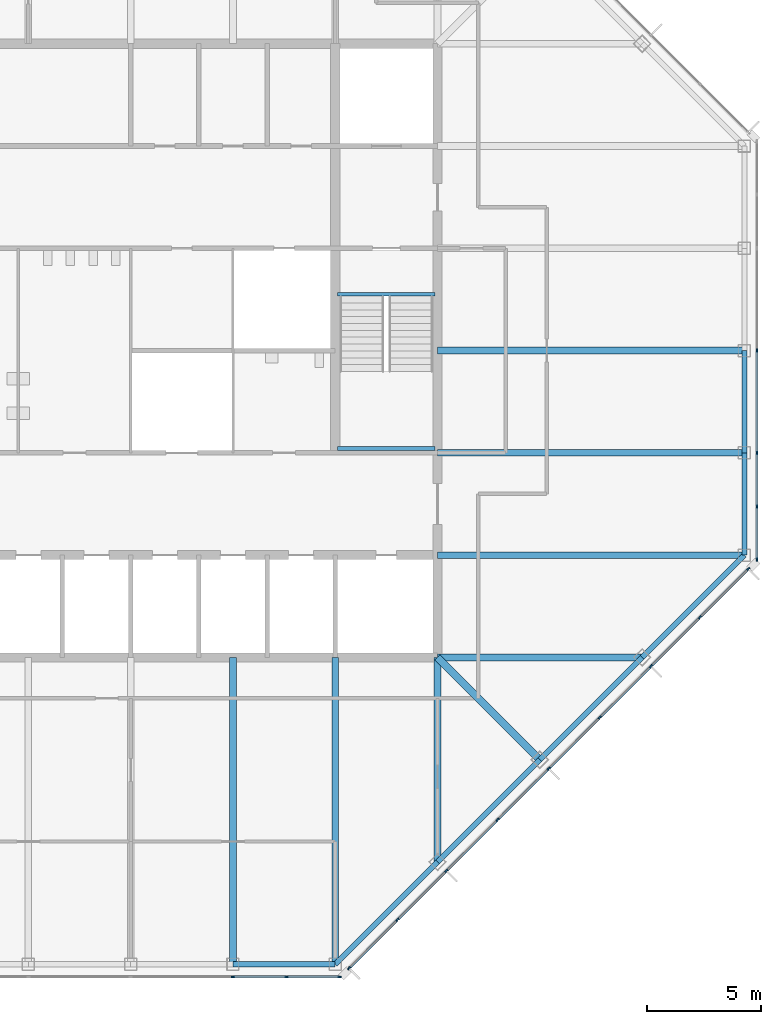
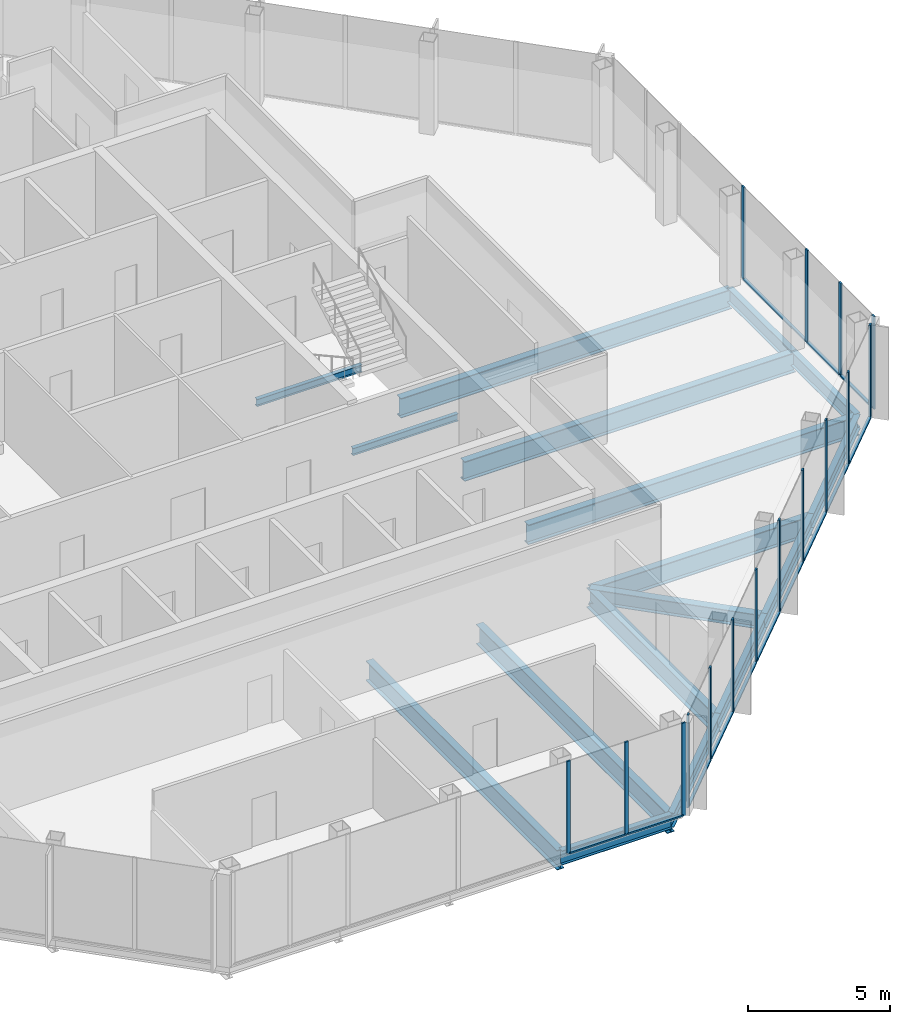
# One storey, part 4 of 13: 29 members, 17 beams, 3 elements without a shape of their own.
"""IFC4 building model written with IfcOpenShell, lengths in metres."""

from ifc_helpers import new_model, si_unit, direction, frame, origin, origin_2d, place, context, subcontext, project, spatial, rectangle, i_section, extrude, material, material_profile, profile_set, type_object, element, aggregate, save


model = new_model("IFC4")

# Units and contexts
model_context = context("Model", 3, precision=1e-05, world=origin(), true_north=direction((0.0, 1.0)))
body_context = subcontext(model_context, "Body", "Model", "MODEL_VIEW")
ifc_project = project(units=[si_unit("LENGTHUNIT", "METRE"), si_unit("AREAUNIT", "SQUARE_METRE"), si_unit("VOLUMEUNIT", "CUBIC_METRE"), si_unit("PLANEANGLEUNIT", "RADIAN"), si_unit("MASSUNIT", "GRAM", prefix="KILO")], contexts=[model_context])

# Site, building, storey
site_placement = place(None, origin())
site = spatial("IfcSite", under=ifc_project, at=site_placement, CompositionType="ELEMENT")
building_placement = place(site_placement, origin())
building = spatial("IfcBuilding", under=site, at=building_placement, Name="Corais Broadcast Tower", CompositionType="ELEMENT")
storey_placement = place(building_placement, frame((0.0, 0.0, 302.60009765625)))
storey = spatial("IfcBuildingStorey", under=building, at=storey_placement, Name="L71", CompositionType="ELEMENT", Elevation=302.60009765625)

# Beams
ifc_material_1 = material(Name="Steel ASTM A572 Grade 50", Category="steel")
ifc_material_profile_1 = material_profile(ifc_material_1, i_section(OverallWidth=0.323974609375, OverallDepth=0.611083984375, WebThickness=0.0126953125, FlangeThickness=0.01904296875, at=origin_2d()), Name="W610x155")
ifc_profile_set_1 = profile_set([ifc_material_profile_1], Name="Steel ASTM A572 Grade 50")
beam_type_1 = type_object("IfcBeamType", Name="Corner diagonal W610x155", PredefinedType="BEAM", material=ifc_profile_set_1)
beam_1_placement = place(storey_placement, frame((45.0, 9.0, -0.465576171875), z_axis=(-0.707106781187, 0.707106781187, 0.0), x_axis=(-0.707106781187, -0.707106781187, 0.0)))
element("IfcBeam", 1, at=beam_1_placement, inside=storey, type_object=beam_type_1, Name="B6 C/13 to D/12", PredefinedType="BEAM", context=body_context, shape_type="SweptSolid", body=[
    extrude(i_section(OverallWidth=0.323974609375, OverallDepth=0.611083984375, WebThickness=0.0126953125, FlangeThickness=0.01904296875, at=origin_2d()), origin(), (0.0, 0.0, 1.0), 6.364013671875),
])
ifc_material_2 = material(Name="Steel ASTM A572 Grade 50", Category="steel")
ifc_material_profile_2 = material_profile(ifc_material_2, i_section(OverallWidth=0.2939453125, OverallDepth=0.85107421875, WebThickness=0.01611328125, FlangeThickness=0.02685546875, at=origin_2d()), Name="W840x226")
ifc_profile_set_2 = profile_set([ifc_material_profile_2], Name="Steel ASTM A572 Grade 50")
beam_type_2 = type_object("IfcBeamType", Name="Floor beam W840x226", PredefinedType="BEAM", material=ifc_profile_set_2)
for number, where, z_axis, x_axis, name in (
    (2, (31.5, 0.0, -0.585693359375), (0.0, 1.0, 0.0), (-1.0, 0.0, 0.0), "B1 A/10 to D/10"),
    (3, (36.0, 0.0, -0.585693359375), (0.0, 1.0, 0.0), (-1.0, 0.0, 0.0), "B1 A/11 to D/11"),
):
    element("IfcBeam", number, at=place(storey_placement, frame(where, z_axis=z_axis, x_axis=x_axis)), inside=storey, type_object=beam_type_2, Name=name, PredefinedType="BEAM", context=body_context, shape_type="SweptSolid", body=[
        extrude(i_section(OverallWidth=0.2939453125, OverallDepth=0.85107421875, WebThickness=0.01611328125, FlangeThickness=0.02685546875, at=origin_2d()), origin(), (0.0, 0.0, 1.0), 13.5),
    ])
for number, where, z_axis, x_axis, name in (
    (4, (40.5, 4.5, -0.585693359375), (0.0, 1.0, 0.0), (-1.0, 0.0, 0.0), "B1 B/12 to D/12"),
    (5, (49.5, 13.5, -0.585693359375), (-1.0, 0.0, 0.0), (0.0, -1.0, 0.0), "B1 D/14 to D/12"),
):
    element("IfcBeam", number, at=place(storey_placement, frame(where, z_axis=z_axis, x_axis=x_axis)), inside=storey, type_object=beam_type_2, Name=name, PredefinedType="BEAM", context=body_context, shape_type="SweptSolid", body=[
        extrude(i_section(OverallWidth=0.2939453125, OverallDepth=0.85107421875, WebThickness=0.01611328125, FlangeThickness=0.02685546875, at=origin_2d()), origin(), (0.0, 0.0, 1.0), 9.0),
    ])
for number, where, z_axis, x_axis, name in (
    (6, (54.0, 18.0, -0.585693359375), (-1.0, 0.0, 0.0), (0.0, -1.0, 0.0), "B1 E/15 to E/12"),
    (7, (54.0, 22.5, -0.585693359375), (-1.0, 0.0, 0.0), (0.0, -1.0, 0.0), "B1 F/15 to F/12"),
    (8, (54.0, 27.0, -0.585693359375), (-1.0, 0.0, 0.0), (0.0, -1.0, 0.0), "B1 G/15 to G/12"),
):
    element("IfcBeam", number, at=place(storey_placement, frame(where, z_axis=z_axis, x_axis=x_axis)), inside=storey, type_object=beam_type_2, Name=name, PredefinedType="BEAM", context=body_context, shape_type="SweptSolid", body=[
        extrude(i_section(OverallWidth=0.2939453125, OverallDepth=0.85107421875, WebThickness=0.01611328125, FlangeThickness=0.02685546875, at=origin_2d()), origin(), (0.0, 0.0, 1.0), 13.5),
    ])
ifc_material_3 = material(Name="Steel ASTM A572 Grade 50", Category="steel")
ifc_material_profile_3 = material_profile(ifc_material_3, i_section(OverallWidth=0.1650390625, OverallDepth=0.31005859375, WebThickness=0.005859375, FlangeThickness=0.009765625, at=origin_2d()), Name="W310x38.7")
ifc_profile_set_3 = profile_set([ifc_material_profile_3], Name="Steel ASTM A572 Grade 50")
beam_type_3 = type_object("IfcBeamType", Name="Landing trimmer W310x38.7", PredefinedType="BEAM", material=ifc_profile_set_3)
for number, where, z_axis, x_axis, name in (
    (9, (36.10009765625, 29.47509765625, -0.35498046875), (1.0, 0.0, 0.0), (0.0, 1.0, 0.0), "LT1 stair B landing trimmer L71"),
    (10, (36.10009765625, 22.68994140625, 1.64501953125), (1.0, 0.0, 0.0), (0.0, 1.0, 0.0), "LT1 stair B half landing trimmer L71"),
):
    element("IfcBeam", number, at=place(storey_placement, frame(where, z_axis=z_axis, x_axis=x_axis)), inside=storey, type_object=beam_type_3, Name=name, PredefinedType="BEAM", context=body_context, shape_type="SweptSolid", body=[
        extrude(i_section(OverallWidth=0.1650390625, OverallDepth=0.31005859375, WebThickness=0.005859375, FlangeThickness=0.009765625, at=origin_2d()), origin(), (0.0, 0.0, 1.0), 4.2998046875),
    ])

# Curtain wall, members
ifc_material_4 = material(Name="Aluminium and glass", Category="aluminium")
curtain_wall_type = type_object("IfcCurtainWallType", Name="Unitised fritted curtain wall CW3", PredefinedType="NOTDEFINED", material=ifc_material_4)
curtain_wall_1_placement = place(storey_placement, origin())
curtain_wall_1 = element("IfcCurtainWall", 11, at=curtain_wall_1_placement, inside=storey, type_object=curtain_wall_type, Name="CW3 curtain wall L71 6", PredefinedType="NOTDEFINED")
ifc_material_5 = material(Name="Aluminium 6063-T6", Category="aluminium")
ifc_material_profile_4 = material_profile(ifc_material_5, rectangle(XDim=0.06494140625, YDim=0.159912109375, at=origin_2d()), Name="Mullion CW3 65x160")
ifc_profile_set_4 = profile_set([ifc_material_profile_4], Name="Aluminium 6063-T6")
member_type_1 = type_object("IfcMemberType", Name="Mullion CW3 65x160", PredefinedType="MULLION", material=ifc_profile_set_4)
member_1_placement = place(storey_placement, frame((54.550048828125, 27.0, 0.0), z_axis=(0.0, 0.0, 1.0), x_axis=(1.0, 0.0, 0.0)))
member_1 = element("IfcMember", 12, at=member_1_placement, type_object=member_type_1, Name="CW3 mullion 4", PredefinedType="MULLION", context=body_context, shape_type="SweptSolid", body=[
    extrude(rectangle(XDim=0.06494140625, YDim=0.159912109375, at=origin_2d()), origin(), (0.0, 0.0, 1.0), 4.0),
])
member_2_placement = place(storey_placement, frame((54.550048828125, 22.5, 0.0), z_axis=(0.0, 0.0, 1.0), x_axis=(1.0, 0.0, 0.0)))
member_2 = element("IfcMember", 13, at=member_2_placement, type_object=member_type_1, Name="CW3 mullion 5", PredefinedType="MULLION", context=body_context, shape_type="SweptSolid", body=[
    extrude(rectangle(XDim=0.06494140625, YDim=0.159912109375, at=origin_2d()), origin(), (0.0, 0.0, 1.0), 4.0),
])
member_3_placement = place(storey_placement, frame((54.550048828125, 20.135986328125, 0.0), z_axis=(0.0, 0.0, 1.0), x_axis=(1.0, 0.0, 0.0)))
member_3 = element("IfcMember", 14, at=member_3_placement, type_object=member_type_1, Name="CW3 mullion 6", PredefinedType="MULLION", context=body_context, shape_type="SweptSolid", body=[
    extrude(rectangle(XDim=0.06494140625, YDim=0.159912109375, at=origin_2d()), origin(), (0.0, 0.0, 1.0), 4.0),
])
member_4_placement = place(storey_placement, frame((54.550048828125, 17.8046875, 0.0), z_axis=(0.0, 0.0, 1.0), x_axis=(1.0, 0.0, 0.0)))
member_4 = element("IfcMember", 15, at=member_4_placement, type_object=member_type_1, Name="CW3 mullion 7", PredefinedType="MULLION", context=body_context, shape_type="SweptSolid", body=[
    extrude(rectangle(XDim=0.06494140625, YDim=0.159912109375, at=origin_2d()), origin(), (0.0, 0.0, 1.0), 4.0),
])

curtain_wall_2_placement = place(storey_placement, origin())
curtain_wall_2 = element("IfcCurtainWall", 16, at=curtain_wall_2_placement, inside=storey, type_object=curtain_wall_type, Name="CW3 curtain wall L71 7", PredefinedType="NOTDEFINED")
member_5_placement = place(storey_placement, frame((54.17333984375, 17.3955078125, 0.0), z_axis=(0.0, 0.0, 1.0), x_axis=(0.707106781187, -0.707106781187, 0.0)))
member_5 = element("IfcMember", 17, at=member_5_placement, type_object=member_type_1, Name="CW3 mullion 1", PredefinedType="MULLION", context=body_context, shape_type="SweptSolid", body=[
    extrude(rectangle(XDim=0.06494140625, YDim=0.159912109375, at=origin_2d()), origin(), (0.0, 0.0, 1.0), 4.0),
])
member_6_placement = place(storey_placement, frame((52.042724609375, 15.264892578125, 0.0), z_axis=(0.0, 0.0, 1.0), x_axis=(0.707106781187, -0.707106781187, 0.0)))
member_6 = element("IfcMember", 18, at=member_6_placement, type_object=member_type_1, Name="CW3 mullion 2", PredefinedType="MULLION", context=body_context, shape_type="SweptSolid", body=[
    extrude(rectangle(XDim=0.06494140625, YDim=0.159912109375, at=origin_2d()), origin(), (0.0, 0.0, 1.0), 4.0),
])
member_7_placement = place(storey_placement, frame((49.888916015625, 13.111083984375, 0.0), z_axis=(0.0, 0.0, 1.0), x_axis=(0.707106781187, -0.707106781187, 0.0)))
member_7 = element("IfcMember", 19, at=member_7_placement, type_object=member_type_1, Name="CW3 mullion 3", PredefinedType="MULLION", context=body_context, shape_type="SweptSolid", body=[
    extrude(rectangle(XDim=0.06494140625, YDim=0.159912109375, at=origin_2d()), origin(), (0.0, 0.0, 1.0), 4.0),
])
member_8_placement = place(storey_placement, frame((47.638916015625, 10.861083984375, 0.0), z_axis=(0.0, 0.0, 1.0), x_axis=(0.707106781187, -0.707106781187, 0.0)))
member_8 = element("IfcMember", 20, at=member_8_placement, type_object=member_type_1, Name="CW3 mullion 4", PredefinedType="MULLION", context=body_context, shape_type="SweptSolid", body=[
    extrude(rectangle(XDim=0.06494140625, YDim=0.159912109375, at=origin_2d()), origin(), (0.0, 0.0, 1.0), 4.0),
])
member_9_placement = place(storey_placement, frame((45.388916015625, 8.611083984375, 0.0), z_axis=(0.0, 0.0, 1.0), x_axis=(0.707106781187, -0.707106781187, 0.0)))
member_9 = element("IfcMember", 21, at=member_9_placement, type_object=member_type_1, Name="CW3 mullion 5", PredefinedType="MULLION", context=body_context, shape_type="SweptSolid", body=[
    extrude(rectangle(XDim=0.06494140625, YDim=0.159912109375, at=origin_2d()), origin(), (0.0, 0.0, 1.0), 4.0),
])
member_10_placement = place(storey_placement, frame((43.138916015625, 6.361083984375, 0.0), z_axis=(0.0, 0.0, 1.0), x_axis=(0.707106781187, -0.707106781187, 0.0)))
member_10 = element("IfcMember", 22, at=member_10_placement, type_object=member_type_1, Name="CW3 mullion 6", PredefinedType="MULLION", context=body_context, shape_type="SweptSolid", body=[
    extrude(rectangle(XDim=0.06494140625, YDim=0.159912109375, at=origin_2d()), origin(), (0.0, 0.0, 1.0), 4.0),
])
member_11_placement = place(storey_placement, frame((40.888916015625, 4.111083984375, 0.0), z_axis=(0.0, 0.0, 1.0), x_axis=(0.707106781187, -0.707106781187, 0.0)))
member_11 = element("IfcMember", 23, at=member_11_placement, type_object=member_type_1, Name="CW3 mullion 7", PredefinedType="MULLION", context=body_context, shape_type="SweptSolid", body=[
    extrude(rectangle(XDim=0.06494140625, YDim=0.159912109375, at=origin_2d()), origin(), (0.0, 0.0, 1.0), 4.0),
])
member_12_placement = place(storey_placement, frame((38.735107421875, 1.957275390625, 0.0), z_axis=(0.0, 0.0, 1.0), x_axis=(0.707106781187, -0.707106781187, 0.0)))
member_12 = element("IfcMember", 24, at=member_12_placement, type_object=member_type_1, Name="CW3 mullion 8", PredefinedType="MULLION", context=body_context, shape_type="SweptSolid", body=[
    extrude(rectangle(XDim=0.06494140625, YDim=0.159912109375, at=origin_2d()), origin(), (0.0, 0.0, 1.0), 4.0),
])
member_13_placement = place(storey_placement, frame((36.6044921875, -0.17333984375, 0.0), z_axis=(0.0, 0.0, 1.0), x_axis=(0.707106781187, -0.707106781187, 0.0)))
member_13 = element("IfcMember", 25, at=member_13_placement, type_object=member_type_1, Name="CW3 mullion 9", PredefinedType="MULLION", context=body_context, shape_type="SweptSolid", body=[
    extrude(rectangle(XDim=0.06494140625, YDim=0.159912109375, at=origin_2d()), origin(), (0.0, 0.0, 1.0), 4.0),
])

curtain_wall_3_placement = place(storey_placement, origin())
curtain_wall_3 = element("IfcCurtainWall", 26, at=curtain_wall_3_placement, inside=storey, type_object=curtain_wall_type, Name="CW3 curtain wall L71 8", PredefinedType="NOTDEFINED")
member_14_placement = place(storey_placement, frame((36.1953125, -0.550048828125, 0.0), z_axis=(0.0, 0.0, 1.0), x_axis=(0.0, -1.0, 0.0)))
member_14 = element("IfcMember", 27, at=member_14_placement, type_object=member_type_1, Name="CW3 mullion 1", PredefinedType="MULLION", context=body_context, shape_type="SweptSolid", body=[
    extrude(rectangle(XDim=0.06494140625, YDim=0.159912109375, at=origin_2d()), origin(), (0.0, 0.0, 1.0), 4.0),
])
member_15_placement = place(storey_placement, frame((33.864013671875, -0.550048828125, 0.0), z_axis=(0.0, 0.0, 1.0), x_axis=(0.0, -1.0, 0.0)))
member_15 = element("IfcMember", 28, at=member_15_placement, type_object=member_type_1, Name="CW3 mullion 2", PredefinedType="MULLION", context=body_context, shape_type="SweptSolid", body=[
    extrude(rectangle(XDim=0.06494140625, YDim=0.159912109375, at=origin_2d()), origin(), (0.0, 0.0, 1.0), 4.0),
])
member_16_placement = place(storey_placement, frame((31.5, -0.550048828125, 0.0), z_axis=(0.0, 0.0, 1.0), x_axis=(0.0, -1.0, 0.0)))
member_16 = element("IfcMember", 29, at=member_16_placement, type_object=member_type_1, Name="CW3 mullion 3", PredefinedType="MULLION", context=body_context, shape_type="SweptSolid", body=[
    extrude(rectangle(XDim=0.06494140625, YDim=0.159912109375, at=origin_2d()), origin(), (0.0, 0.0, 1.0), 4.0),
])

# Beams
ifc_material_6 = material(Name="Steel ASTM A572 Grade 50", Category="steel")
ifc_material_profile_5 = material_profile(ifc_material_6, i_section(OverallWidth=0.22998046875, OverallDepth=0.616943359375, WebThickness=0.01318359375, FlangeThickness=0.022216796875, at=origin_2d()), Name="W610x140")
ifc_profile_set_5 = profile_set([ifc_material_profile_5], Name="Steel ASTM A572 Grade 50")
beam_type_4 = type_object("IfcBeamType", Name="Spandrel W610x140", PredefinedType="BEAM", material=ifc_profile_set_5)
beam_2_placement = place(storey_placement, frame((31.5, 0.0, -0.468505859375), z_axis=(1.0, 0.0, 0.0), x_axis=(0.0, 1.0, 0.0)))
element("IfcBeam", 30, at=beam_2_placement, inside=storey, type_object=beam_type_4, Name="SB3 A/10 to A/11", PredefinedType="BEAM", context=body_context, shape_type="SweptSolid", body=[
    extrude(i_section(OverallWidth=0.22998046875, OverallDepth=0.616943359375, WebThickness=0.01318359375, FlangeThickness=0.022216796875, at=origin_2d()), origin(), (0.0, 0.0, 1.0), 4.5),
])
for number, where, z_axis, x_axis, name in (
    (31, (36.0, 0.0, -0.468505859375), (0.707106781187, 0.707106781187, 0.0), (-0.707106781187, 0.707106781187, 0.0), "SB3 A/11 to B/12"),
    (32, (40.5, 4.5, -0.468505859375), (0.707106781187, 0.707106781187, 0.0), (-0.707106781187, 0.707106781187, 0.0), "SB3 B/12 to C/13"),
    (33, (45.0, 9.0, -0.468505859375), (0.707106781187, 0.707106781187, 0.0), (-0.707106781187, 0.707106781187, 0.0), "SB3 C/13 to D/14"),
    (34, (49.5, 13.5, -0.468505859375), (0.707106781187, 0.707106781187, 0.0), (-0.707106781187, 0.707106781187, 0.0), "SB3 D/14 to E/15"),
):
    element("IfcBeam", number, at=place(storey_placement, frame(where, z_axis=z_axis, x_axis=x_axis)), inside=storey, type_object=beam_type_4, Name=name, PredefinedType="BEAM", context=body_context, shape_type="SweptSolid", body=[
        extrude(i_section(OverallWidth=0.22998046875, OverallDepth=0.616943359375, WebThickness=0.01318359375, FlangeThickness=0.022216796875, at=origin_2d()), origin(), (0.0, 0.0, 1.0), 6.364013671875),
    ])
for number, where, z_axis, x_axis, name in (
    (35, (54.0, 18.0, -0.468505859375), (0.0, 1.0, 0.0), (-1.0, 0.0, 0.0), "SB3 E/15 to F/15"),
    (36, (54.0, 22.5, -0.468505859375), (0.0, 1.0, 0.0), (-1.0, 0.0, 0.0), "SB3 F/15 to G/15"),
):
    element("IfcBeam", number, at=place(storey_placement, frame(where, z_axis=z_axis, x_axis=x_axis)), inside=storey, type_object=beam_type_4, Name=name, PredefinedType="BEAM", context=body_context, shape_type="SweptSolid", body=[
        extrude(i_section(OverallWidth=0.22998046875, OverallDepth=0.616943359375, WebThickness=0.01318359375, FlangeThickness=0.022216796875, at=origin_2d()), origin(), (0.0, 0.0, 1.0), 4.5),
    ])

# Member
ifc_material_7 = material(Name="Aluminium 6063-T6", Category="aluminium")
ifc_material_profile_6 = material_profile(ifc_material_7, rectangle(XDim=0.1201171875, YDim=0.06494140625, at=origin_2d()), Name="Transom CW3 65x120")
ifc_profile_set_6 = profile_set([ifc_material_profile_6], Name="Aluminium 6063-T6")
member_type_2 = type_object("IfcMemberType", Name="Transom CW3 65x120", PredefinedType="USERDEFINED", material=ifc_profile_set_6)
member_17_placement = place(storey_placement, frame((54.550048828125, 26.967529296875, 0.032470703125), z_axis=(0.0, -1.0, 0.0), x_axis=(1.0, 0.0, 0.0)))
member_17 = element("IfcMember", 37, at=member_17_placement, type_object=member_type_2, Name="CW3 transom 4.1", ObjectType="TRANSOM", PredefinedType="USERDEFINED", context=body_context, shape_type="SweptSolid", body=[
    extrude(rectangle(XDim=0.1201171875, YDim=0.06494140625, at=origin_2d()), origin(), (0.0, 0.0, 1.0), 4.43505859375),
])

member_18_placement = place(storey_placement, frame((54.550048828125, 22.467529296875, 0.032470703125), z_axis=(0.0, -1.0, 0.0), x_axis=(1.0, 0.0, 0.0)))
member_18 = element("IfcMember", 38, at=member_18_placement, type_object=member_type_2, Name="CW3 transom 5.1", ObjectType="TRANSOM", PredefinedType="USERDEFINED", context=body_context, shape_type="SweptSolid", body=[
    extrude(rectangle(XDim=0.1201171875, YDim=0.06494140625, at=origin_2d()), origin(), (0.0, 0.0, 1.0), 2.298828125),
])

member_19_placement = place(storey_placement, frame((54.550048828125, 20.103515625, 0.032470703125), z_axis=(0.0, -1.0, 0.0), x_axis=(1.0, 0.0, 0.0)))
member_19 = element("IfcMember", 39, at=member_19_placement, type_object=member_type_2, Name="CW3 transom 6.1", ObjectType="TRANSOM", PredefinedType="USERDEFINED", context=body_context, shape_type="SweptSolid", body=[
    extrude(rectangle(XDim=0.1201171875, YDim=0.06494140625, at=origin_2d()), origin(), (0.0, 0.0, 1.0), 2.266357421875),
])

aggregate(curtain_wall_1, [member_1, member_2, member_3, member_4, member_17, member_18, member_19])

member_20_placement = place(storey_placement, frame((54.150390625, 17.37255859375, 0.032470703125), z_axis=(-0.707106781187, -0.707106781187, 0.0), x_axis=(0.707106781187, -0.707106781187, 0.0)))
member_20 = element("IfcMember", 40, at=member_20_placement, type_object=member_type_2, Name="CW3 transom 1.1", ObjectType="TRANSOM", PredefinedType="USERDEFINED", context=body_context, shape_type="SweptSolid", body=[
    extrude(rectangle(XDim=0.1201171875, YDim=0.06494140625, at=origin_2d()), origin(), (0.0, 0.0, 1.0), 2.9482421875),
])

member_21_placement = place(storey_placement, frame((52.019775390625, 15.241943359375, 0.032470703125), z_axis=(-0.707106781187, -0.707106781187, 0.0), x_axis=(0.707106781187, -0.707106781187, 0.0)))
member_21 = element("IfcMember", 41, at=member_21_placement, type_object=member_type_2, Name="CW3 transom 2.1", ObjectType="TRANSOM", PredefinedType="USERDEFINED", context=body_context, shape_type="SweptSolid", body=[
    extrude(rectangle(XDim=0.1201171875, YDim=0.06494140625, at=origin_2d()), origin(), (0.0, 0.0, 1.0), 2.98095703125),
])

member_22_placement = place(storey_placement, frame((49.865966796875, 13.088134765625, 0.032470703125), z_axis=(-0.707106781187, -0.707106781187, 0.0), x_axis=(0.707106781187, -0.707106781187, 0.0)))
member_22 = element("IfcMember", 42, at=member_22_placement, type_object=member_type_2, Name="CW3 transom 3.1", ObjectType="TRANSOM", PredefinedType="USERDEFINED", context=body_context, shape_type="SweptSolid", body=[
    extrude(rectangle(XDim=0.1201171875, YDim=0.06494140625, at=origin_2d()), origin(), (0.0, 0.0, 1.0), 3.1171875),
])

member_23_placement = place(storey_placement, frame((47.615966796875, 10.838134765625, 0.032470703125), z_axis=(-0.707106781187, -0.707106781187, 0.0), x_axis=(0.707106781187, -0.707106781187, 0.0)))
member_23 = element("IfcMember", 43, at=member_23_placement, type_object=member_type_2, Name="CW3 transom 4.1", ObjectType="TRANSOM", PredefinedType="USERDEFINED", context=body_context, shape_type="SweptSolid", body=[
    extrude(rectangle(XDim=0.1201171875, YDim=0.06494140625, at=origin_2d()), origin(), (0.0, 0.0, 1.0), 3.1171875),
])

member_24_placement = place(storey_placement, frame((45.365966796875, 8.588134765625, 0.032470703125), z_axis=(-0.707106781187, -0.707106781187, 0.0), x_axis=(0.707106781187, -0.707106781187, 0.0)))
member_24 = element("IfcMember", 44, at=member_24_placement, type_object=member_type_2, Name="CW3 transom 5.1", ObjectType="TRANSOM", PredefinedType="USERDEFINED", context=body_context, shape_type="SweptSolid", body=[
    extrude(rectangle(XDim=0.1201171875, YDim=0.06494140625, at=origin_2d()), origin(), (0.0, 0.0, 1.0), 3.1171875),
])

member_25_placement = place(storey_placement, frame((43.115966796875, 6.338134765625, 0.032470703125), z_axis=(-0.707106781187, -0.707106781187, 0.0), x_axis=(0.707106781187, -0.707106781187, 0.0)))
member_25 = element("IfcMember", 45, at=member_25_placement, type_object=member_type_2, Name="CW3 transom 6.1", ObjectType="TRANSOM", PredefinedType="USERDEFINED", context=body_context, shape_type="SweptSolid", body=[
    extrude(rectangle(XDim=0.1201171875, YDim=0.06494140625, at=origin_2d()), origin(), (0.0, 0.0, 1.0), 3.1171875),
])

member_26_placement = place(storey_placement, frame((40.865966796875, 4.088134765625, 0.032470703125), z_axis=(-0.70714773134, -0.707065828661, 0.0), x_axis=(0.707065828661, -0.70714773134, 0.0)))
member_26 = element("IfcMember", 46, at=member_26_placement, type_object=member_type_2, Name="CW3 transom 7.1", ObjectType="TRANSOM", PredefinedType="USERDEFINED", context=body_context, shape_type="SweptSolid", body=[
    extrude(rectangle(XDim=0.1201171875, YDim=0.06494140625, at=origin_2d()), origin(), (0.0, 0.0, 1.0), 2.98095703125),
])

member_27_placement = place(storey_placement, frame((38.712158203125, 1.934326171875, 0.032470703125), z_axis=(-0.707106781187, -0.707106781187, 0.0), x_axis=(0.707106781187, -0.707106781187, 0.0)))
member_27 = element("IfcMember", 47, at=member_27_placement, type_object=member_type_2, Name="CW3 transom 8.1", ObjectType="TRANSOM", PredefinedType="USERDEFINED", context=body_context, shape_type="SweptSolid", body=[
    extrude(rectangle(XDim=0.1201171875, YDim=0.06494140625, at=origin_2d()), origin(), (0.0, 0.0, 1.0), 2.9482421875),
])

aggregate(curtain_wall_2, [member_5, member_6, member_7, member_8, member_9, member_10, member_11, member_12, member_13, member_20, member_21, member_22, member_23, member_24, member_25, member_26, member_27])

member_28_placement = place(storey_placement, frame((36.162841796875, -0.550048828125, 0.032470703125), z_axis=(-1.0, 0.0, 0.0), x_axis=(0.0, -1.0, 0.0)))
member_28 = element("IfcMember", 48, at=member_28_placement, type_object=member_type_2, Name="CW3 transom 1.1", ObjectType="TRANSOM", PredefinedType="USERDEFINED", context=body_context, shape_type="SweptSolid", body=[
    extrude(rectangle(XDim=0.1201171875, YDim=0.06494140625, at=origin_2d()), origin(), (0.0, 0.0, 1.0), 2.266357421875),
])

member_29_placement = place(storey_placement, frame((33.831298828125, -0.550048828125, 0.032470703125), z_axis=(-1.0, 0.0, 0.0), x_axis=(0.0, -1.0, 0.0)))
member_29 = element("IfcMember", 49, at=member_29_placement, type_object=member_type_2, Name="CW3 transom 2.1", ObjectType="TRANSOM", PredefinedType="USERDEFINED", context=body_context, shape_type="SweptSolid", body=[
    extrude(rectangle(XDim=0.1201171875, YDim=0.06494140625, at=origin_2d()), origin(), (0.0, 0.0, 1.0), 2.298828125),
])

aggregate(curtain_wall_3, [member_14, member_15, member_16, member_28, member_29])

save(model, "model.ifc")
